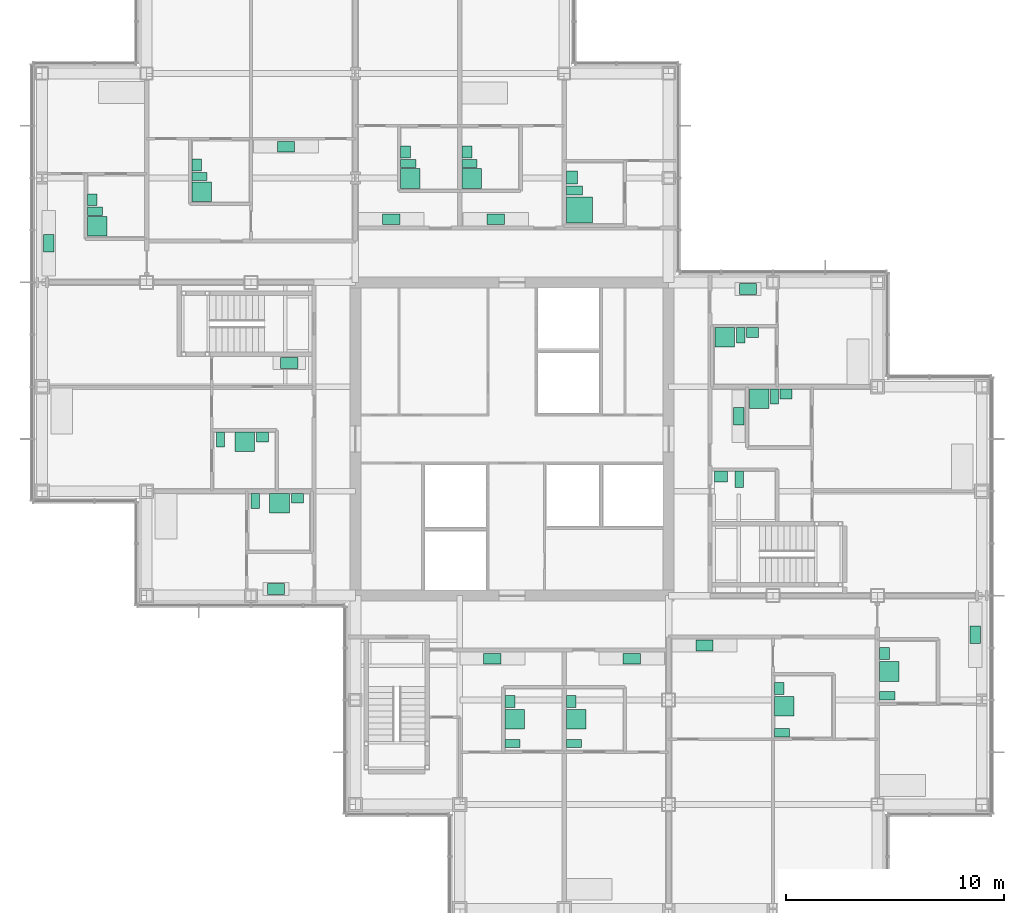
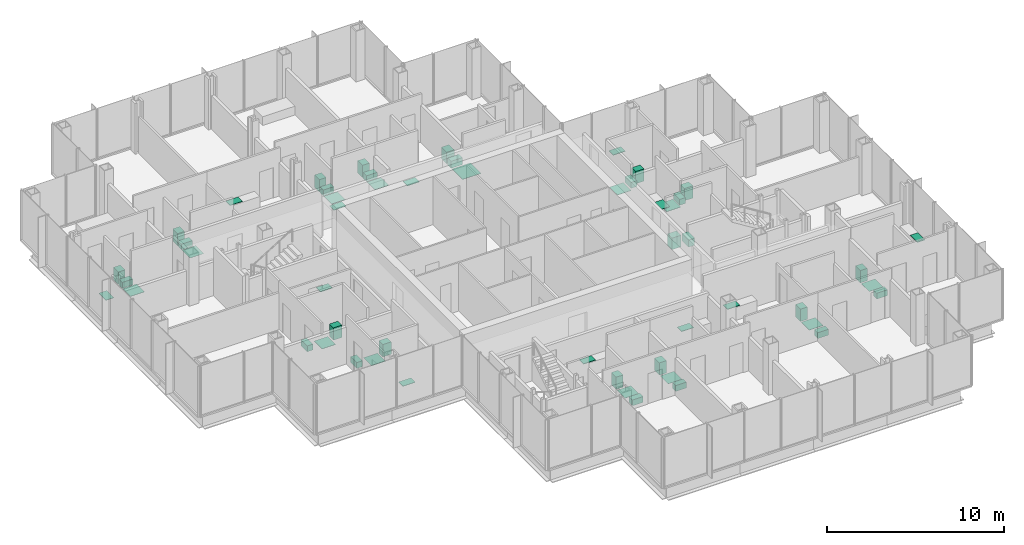
# One storey, part 19 of 20: 53 sanitary terminals.
"""IFC4 building model written with IfcOpenShell, lengths in metres."""

from ifc_helpers import new_model, si_unit, direction, frame, origin, origin_2d, place, context, subcontext, project, spatial, rectangle, extrude, material, type_object, element, save


model = new_model("IFC4")

# Units and contexts
model_context = context("Model", 3, precision=1e-05, world=origin(), true_north=direction((0.0, 1.0)))
body_context = subcontext(model_context, "Body", "Model", "MODEL_VIEW")
ifc_project = project(units=[si_unit("LENGTHUNIT", "METRE"), si_unit("AREAUNIT", "SQUARE_METRE"), si_unit("VOLUMEUNIT", "CUBIC_METRE"), si_unit("PLANEANGLEUNIT", "RADIAN"), si_unit("MASSUNIT", "GRAM", prefix="KILO")], contexts=[model_context])

# Site, building, storey
site_placement = place(None, origin())
site = spatial("IfcSite", under=ifc_project, at=site_placement, CompositionType="ELEMENT")
building_placement = place(site_placement, origin())
building = spatial("IfcBuilding", under=site, at=building_placement, Name="Kvirike Care Tower", CompositionType="ELEMENT")
storey_placement = place(building_placement, frame((0.0, 0.0, 101.5)))
storey = spatial("IfcBuildingStorey", under=building, at=storey_placement, Name="L27", CompositionType="ELEMENT", Elevation=101.5)

# Sanitary terminals
ifc_material_1 = material(Name="Vitreous china", Category="ceramic")
sanitary_terminal_type_1 = type_object("IfcSanitaryTerminalType", Name="ACCESSIBLE WASH BASIN 600 x 500", PredefinedType="WASHHANDBASIN", material=ifc_material_1)
for number, where, z_axis, x_axis, name in (
    (1, (24.35205078125, 48.02490234375, 0.02001953125), (0.0, 0.0, 1.0), (0.0, 1.0, 0.0), "Accessible wash basin L27-031"),
    (2, (31.199951171875, 34.27294921875, 0.02001953125), (0.0, 0.0, 1.0), (1.0, 0.0, 0.0), "Accessible wash basin L27-052"),
):
    element("IfcSanitaryTerminal", number, at=place(storey_placement, frame(where, z_axis=z_axis, x_axis=x_axis)), inside=storey, type_object=sanitary_terminal_type_1, Name=name, PredefinedType="WASHHANDBASIN", context=body_context, shape_type="SweptSolid", body=[
        extrude(rectangle(XDim=0.60009765625, YDim=0.5, at=origin_2d()), origin(), (0.0, 0.0, 1.0), 0.800048828125),
    ])
ifc_material_2 = material(Name="Vitreous china", Category="ceramic")
sanitary_terminal_type_2 = type_object("IfcSanitaryTerminalType", Name="ACCESSIBLE WC PAN 400 x 750", PredefinedType="TOILETPAN", material=ifc_material_2)
for number, where, z_axis, x_axis, name in (
    (3, (24.47705078125, 47.425048828125, 0.02001953125), (0.0, 0.0, 1.0), (0.0, 1.0, 0.0), "Accessible WC pan L27-031"),
    (4, (32.050048828125, 34.14794921875, 0.02001953125), (0.0, 0.0, 1.0), (1.0, 0.0, 0.0), "Accessible WC pan L27-052"),
):
    element("IfcSanitaryTerminal", number, at=place(storey_placement, frame(where, z_axis=z_axis, x_axis=x_axis)), inside=storey, type_object=sanitary_terminal_type_2, Name=name, PredefinedType="TOILETPAN", context=body_context, shape_type="SweptSolid", body=[
        extrude(rectangle(XDim=0.39990234375, YDim=0.75, at=origin_2d()), origin(), (0.0, 0.0, 1.0), 0.47998046875),
    ])
ifc_material_3 = material(Name="Stainless steel", Category="steel")
sanitary_terminal_type_3 = type_object("IfcSanitaryTerminalType", Name="KITCHEN SINK 800 x 500", PredefinedType="SINK", material=ifc_material_3)
for number, where, z_axis, x_axis, name in (
    (5, (11.360107421875, 39.498046875, 0.89990234375), (0.0, 0.0, 1.0), (1.0, 0.0, 0.0), "Kitchen sink L27-006"),
    (6, (10.75, 29.10205078125, 0.89990234375), (0.0, 0.0, 1.0), (-1.0, 0.0, 0.0), "Kitchen sink L27-010"),
    (7, (11.2099609375, 49.43798828125, 0.89990234375), (0.0, 0.0, 1.0), (1.0, 0.0, 0.0), "Kitchen sink L27-015"),
    (8, (0.302001953125, 44.9970703125, 0.89990234375), (0.0, 0.0, 1.0), (0.0, 1.0, 0.0), "Kitchen sink L27-019"),
    (9, (20.699951171875, 25.89794921875, 0.89990234375), (0.0, 0.0, 1.0), (1.0, 0.0, 0.0), "Kitchen sink L27-025"),
    (10, (27.10009765625, 25.89794921875, 0.89990234375), (0.0, 0.0, 1.0), (1.0, 0.0, 0.0), "Kitchen sink L27-028"),
    (11, (20.85009765625, 46.10205078125, 0.89990234375), (0.0, 0.0, 1.0), (-1.0, 0.0, 0.0), "Kitchen sink L27-035"),
    (12, (16.050048828125, 46.10205078125, 0.89990234375), (0.0, 0.0, 1.0), (-1.0, 0.0, 0.0), "Kitchen sink L27-038"),
    (13, (30.449951171875, 26.498046875, 0.89990234375), (0.0, 0.0, 1.0), (1.0, 0.0, 0.0), "Kitchen sink L27-043"),
    (14, (42.89794921875, 27.0029296875, 0.89990234375), (0.0, 0.0, 1.0), (0.0, -1.0, 0.0), "Kitchen sink L27-047"),
    (15, (32.02294921875, 37.050048828125, 0.89990234375), (0.0, 0.0, 1.0), (0.0, -1.0, 0.0), "Kitchen sink L27-054"),
    (16, (32.449951171875, 42.89794921875, 0.89990234375), (0.0, 0.0, 1.0), (1.0, 0.0, 0.0), "Kitchen sink L27-057"),
):
    element("IfcSanitaryTerminal", number, at=place(storey_placement, frame(where, z_axis=z_axis, x_axis=x_axis)), inside=storey, type_object=sanitary_terminal_type_3, Name=name, PredefinedType="SINK", context=body_context, shape_type="SweptSolid", body=[
        extrude(rectangle(XDim=0.800048828125, YDim=0.5, at=origin_2d()), origin(), (0.0, 0.0, 1.0), 0.030029296875),
    ])
ifc_material_4 = material(Name="Stainless steel", Category="steel")
sanitary_terminal_type_4 = type_object("IfcSanitaryTerminalType", Name="LEVEL-ACCESS SHOWER 1200 x 1200", PredefinedType="SHOWER", material=ifc_material_4)
sanitary_terminal_placement = place(storey_placement, frame((24.701904296875, 46.52490234375, 0.02001953125), z_axis=(0.0, 0.0, 1.0), x_axis=(0.0, 1.0, 0.0)))
element("IfcSanitaryTerminal", 17, at=sanitary_terminal_placement, inside=storey, type_object=sanitary_terminal_type_4, Name="Level-access shower L27-031", PredefinedType="SHOWER", context=body_context, shape_type="SweptSolid", body=[
    extrude(rectangle(XDim=1.199951171875, YDim=1.199951171875, at=origin_2d()), origin(), (0.0, 0.0, 1.0), 0.02001953125),
])
ifc_material_5 = material(Name="Stainless steel", Category="steel")
sanitary_terminal_type_5 = type_object("IfcSanitaryTerminalType", Name="LEVEL-ACCESS SHOWER 900 x 900", PredefinedType="SHOWER", material=ifc_material_5)
for number, where, z_axis, x_axis, name in (
    (18, (9.31005859375, 35.873046875, 0.02001953125), (0.0, 0.0, 1.0), (1.0, 0.0, 0.0), "Level-access shower L27-005"),
    (19, (10.909912109375, 33.048095703125, 0.02001953125), (0.0, 0.0, 1.0), (1.0, 0.0, 0.0), "Level-access shower L27-009"),
    (20, (7.326904296875, 47.375, 0.02001953125), (0.0, 0.0, 1.0), (0.0, 1.0, 0.0), "Level-access shower L27-014"),
    (21, (2.527099609375, 45.77490234375, 0.02001953125), (0.0, 0.0, 1.0), (0.0, 1.0, 0.0), "Level-access shower L27-018"),
    (22, (21.72705078125, 23.110107421875, 0.02001953125), (0.0, 0.0, 1.0), (0.0, 1.0, 0.0), "Level-access shower L27-024"),
    (23, (24.552001953125, 23.110107421875, 0.02001953125), (0.0, 0.0, 1.0), (0.0, 1.0, 0.0), "Level-access shower L27-027"),
    (24, (19.751953125, 47.97509765625, 0.02001953125), (0.0, 0.0, 1.0), (0.0, 1.0, 0.0), "Level-access shower L27-034"),
    (25, (16.927001953125, 47.97509765625, 0.02001953125), (0.0, 0.0, 1.0), (0.0, 1.0, 0.0), "Level-access shower L27-037"),
    (26, (34.112060546875, 23.7099609375, 0.02001953125), (0.0, 0.0, 1.0), (0.0, 1.0, 0.0), "Level-access shower L27-042"),
    (27, (38.951904296875, 25.31005859375, 0.02001953125), (0.0, 0.0, 1.0), (0.0, 1.0, 0.0), "Level-access shower L27-046"),
    (28, (32.97509765625, 37.847900390625, 0.02001953125), (0.0, 0.0, 1.0), (1.0, 0.0, 0.0), "Level-access shower L27-053"),
    (29, (31.375, 40.673095703125, 0.02001953125), (0.0, 0.0, 1.0), (1.0, 0.0, 0.0), "Level-access shower L27-056"),
):
    element("IfcSanitaryTerminal", number, at=place(storey_placement, frame(where, z_axis=z_axis, x_axis=x_axis)), inside=storey, type_object=sanitary_terminal_type_5, Name=name, PredefinedType="SHOWER", context=body_context, shape_type="SweptSolid", body=[
        extrude(rectangle(XDim=0.89990234375, YDim=0.89990234375, at=origin_2d()), origin(), (0.0, 0.0, 1.0), 0.02001953125),
    ])
ifc_material_6 = material(Name="Vitreous china", Category="ceramic")
sanitary_terminal_type_6 = type_object("IfcSanitaryTerminalType", Name="WASH BASIN 550 x 450", PredefinedType="WASHHANDBASIN", material=ifc_material_6)
for number, where, z_axis, x_axis, name in (
    (30, (10.135009765625, 36.097900390625, 0.02001953125), (0.0, 0.0, 1.0), (1.0, 0.0, 0.0), "Wash basin L27-005"),
    (31, (11.735107421875, 33.27294921875, 0.02001953125), (0.0, 0.0, 1.0), (1.0, 0.0, 0.0), "Wash basin L27-009"),
    (32, (7.10205078125, 48.60009765625, 0.02001953125), (0.0, 0.0, 1.0), (0.0, 1.0, 0.0), "Wash basin L27-014"),
    (33, (2.302001953125, 47.0, 0.02001953125), (0.0, 0.0, 1.0), (0.0, 1.0, 0.0), "Wash basin L27-018"),
    (34, (21.501953125, 23.93505859375, 0.02001953125), (0.0, 0.0, 1.0), (0.0, 1.0, 0.0), "Wash basin L27-024"),
    (35, (24.326904296875, 23.93505859375, 0.02001953125), (0.0, 0.0, 1.0), (0.0, 1.0, 0.0), "Wash basin L27-027"),
    (36, (19.527099609375, 49.199951171875, 0.02001953125), (0.0, 0.0, 1.0), (0.0, 1.0, 0.0), "Wash basin L27-034"),
    (37, (16.701904296875, 49.199951171875, 0.02001953125), (0.0, 0.0, 1.0), (0.0, 1.0, 0.0), "Wash basin L27-037"),
    (38, (33.886962890625, 24.534912109375, 0.02001953125), (0.0, 0.0, 1.0), (0.0, 1.0, 0.0), "Wash basin L27-042"),
    (39, (38.72705078125, 26.135009765625, 0.02001953125), (0.0, 0.0, 1.0), (0.0, 1.0, 0.0), "Wash basin L27-046"),
    (40, (34.199951171875, 38.072998046875, 0.02001953125), (0.0, 0.0, 1.0), (1.0, 0.0, 0.0), "Wash basin L27-053"),
    (41, (32.64990234375, 40.89794921875, 0.02001953125), (0.0, 0.0, 1.0), (1.0, 0.0, 0.0), "Wash basin L27-056"),
):
    element("IfcSanitaryTerminal", number, at=place(storey_placement, frame(where, z_axis=z_axis, x_axis=x_axis)), inside=storey, type_object=sanitary_terminal_type_6, Name=name, PredefinedType="WASHHANDBASIN", context=body_context, shape_type="SweptSolid", body=[
        extrude(rectangle(XDim=0.550048828125, YDim=0.449951171875, at=origin_2d()), origin(), (0.0, 0.0, 1.0), 0.85009765625),
    ])
ifc_material_7 = material(Name="Vitreous china", Category="ceramic")
sanitary_terminal_type_7 = type_object("IfcSanitaryTerminalType", Name="WC PAN 380 x 700", PredefinedType="TOILETPAN", material=ifc_material_7)
for number, where, z_axis, x_axis, name in (
    (42, (8.199951171875, 35.972900390625, 0.02001953125), (0.0, 0.0, 1.0), (1.0, 0.0, 0.0), "WC pan L27-005"),
    (43, (9.800048828125, 33.14794921875, 0.02001953125), (0.0, 0.0, 1.0), (1.0, 0.0, 0.0), "WC pan L27-009"),
    (44, (7.22705078125, 48.06494140625, 0.02001953125), (0.0, 0.0, 1.0), (0.0, 1.0, 0.0), "WC pan L27-014"),
    (45, (2.427001953125, 46.465087890625, 0.02001953125), (0.0, 0.0, 1.0), (0.0, 1.0, 0.0), "WC pan L27-018"),
    (46, (21.626953125, 22.0, 0.02001953125), (0.0, 0.0, 1.0), (0.0, 1.0, 0.0), "WC pan L27-024"),
    (47, (24.451904296875, 22.0, 0.02001953125), (0.0, 0.0, 1.0), (0.0, 1.0, 0.0), "WC pan L27-027"),
    (48, (19.652099609375, 48.6650390625, 0.02001953125), (0.0, 0.0, 1.0), (0.0, 1.0, 0.0), "WC pan L27-034"),
    (49, (16.826904296875, 48.6650390625, 0.02001953125), (0.0, 0.0, 1.0), (0.0, 1.0, 0.0), "WC pan L27-037"),
    (50, (34.011962890625, 22.5, 0.02001953125), (0.0, 0.0, 1.0), (0.0, 1.0, 0.0), "WC pan L27-042"),
    (51, (38.85205078125, 24.199951171875, 0.02001953125), (0.0, 0.0, 1.0), (0.0, 1.0, 0.0), "WC pan L27-046"),
    (52, (33.6650390625, 37.947998046875, 0.02001953125), (0.0, 0.0, 1.0), (1.0, 0.0, 0.0), "WC pan L27-053"),
    (53, (32.114990234375, 40.77294921875, 0.02001953125), (0.0, 0.0, 1.0), (1.0, 0.0, 0.0), "WC pan L27-056"),
):
    element("IfcSanitaryTerminal", number, at=place(storey_placement, frame(where, z_axis=z_axis, x_axis=x_axis)), inside=storey, type_object=sanitary_terminal_type_7, Name=name, PredefinedType="TOILETPAN", context=body_context, shape_type="SweptSolid", body=[
        extrude(rectangle(XDim=0.3798828125, YDim=0.699951171875, at=origin_2d()), origin(), (0.0, 0.0, 1.0), 0.39990234375),
    ])

save(model, "model.ifc")
